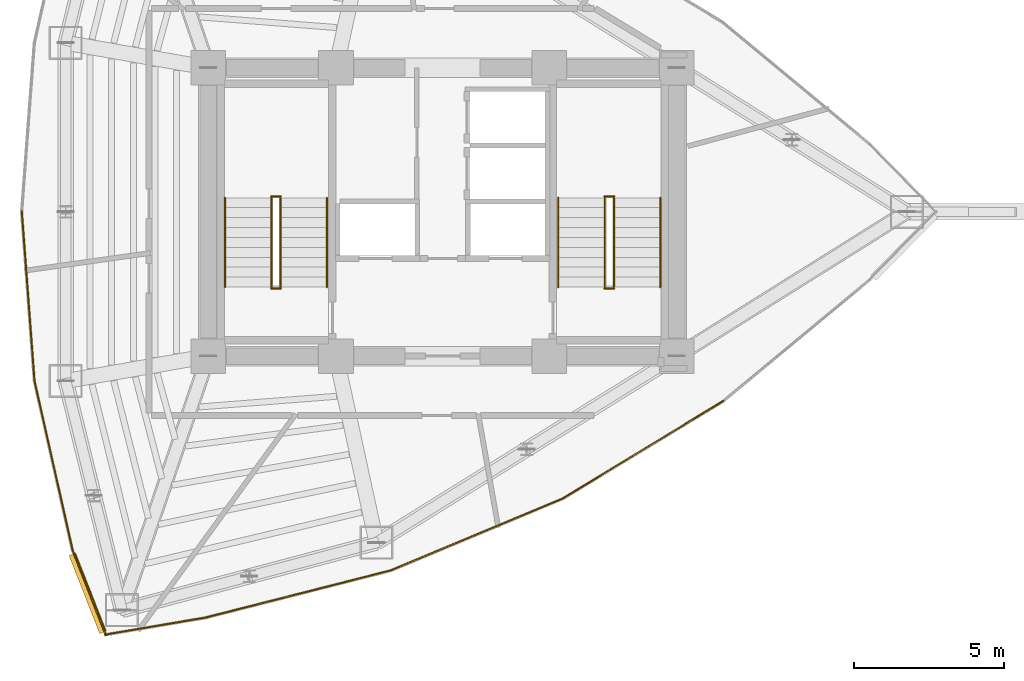
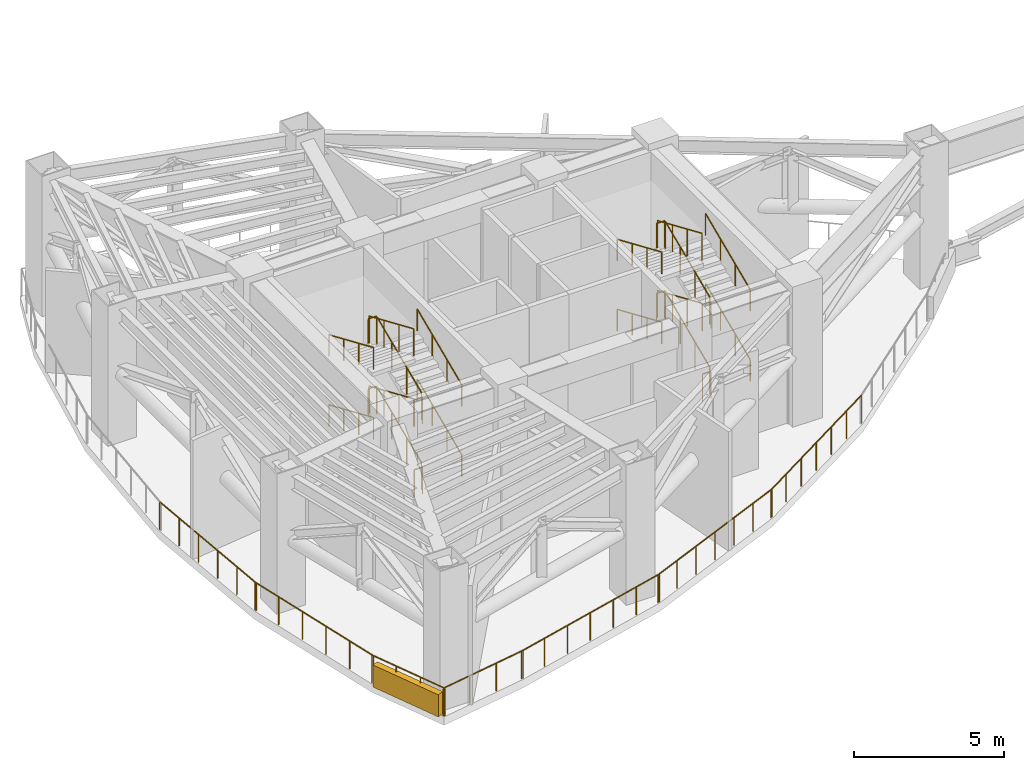
# One storey, part 7 of 8: 31 railings, 1 shading device.
"""IFC4 building model written with IfcOpenShell, lengths in metres."""

import ifcopenshell
import ifcopenshell.guid

model = None  # the IFC model being written
_history = None  # IfcOwnerHistory: only IFC2X3 demands one
_inside = {}  # id of a spatial element -> (the spatial element, [elements in it])
_under = {}  # id of a project, library or spatial element -> (it, [spatial elements below it])
_declared = {}  # id of a project -> (the project, [libraries it declares])
_typed = {}  # id of a type object -> (the type object, [elements of that type])
_made_of = {}  # id of a material, layer set ... -> (it, [elements and type objects made of it])


def new_model(schema):
    """Start an empty IFC model of exactly this schema.

    Asked for "IFC4X3", IfcOpenShell would pick the latest addendum, in which some entities
    have other attributes; the version numbers below select the first issue.
    IFC2X3 requires an IfcOwnerHistory on every rooted entity: one is made here for all.
    """
    global model, _history
    if schema == "IFC4X3":
        model = ifcopenshell.file(schema_version=(4, 3, 0, 0))
    else:
        model = ifcopenshell.file(schema=schema)
    _inside.clear()
    _under.clear()
    _declared.clear()
    _typed.clear()
    _made_of.clear()
    _history = None
    if model.schema == "IFC2X3":
        org = make("IfcOrganization", Name="unknown")
        user = make(
            "IfcPersonAndOrganization",
            ThePerson=make("IfcPerson", FamilyName="unknown"),
            TheOrganization=org,
        )
        app = make(
            "IfcApplication",
            ApplicationDeveloper=org,
            Version="unknown",
            ApplicationFullName="unknown",
            ApplicationIdentifier="unknown",
        )
        _history = make(
            "IfcOwnerHistory",
            OwningUser=user,
            OwningApplication=app,
            ChangeAction="ADDED",
            CreationDate=0,
        )
    return model


def make(cls, **values):
    """One entity of the class cls with the attributes given. An attribute that is None is left unset."""
    return model.create_entity(
        cls, **{name: value for name, value in values.items() if value is not None}
    )


def rooted(cls, **values):
    """An entity with a GlobalId (a new one), such as an element, a storey or a relation."""
    return make(cls, GlobalId=ifcopenshell.guid.new(), OwnerHistory=_history, **values)


def si_unit(unit_type, name, prefix=None):
    """IfcSIUnit, for example si_unit("LENGTHUNIT", "METRE", prefix="MILLI")."""
    return make("IfcSIUnit", UnitType=unit_type, Prefix=prefix, Name=name)


def assignment(units):
    """IfcUnitAssignment: the units of a project."""
    return None if units is None else make("IfcUnitAssignment", Units=units)


def point(xyz):
    """IfcCartesianPoint."""
    return None if xyz is None else make("IfcCartesianPoint", Coordinates=xyz)


def direction(xyz):
    """IfcDirection."""
    return None if xyz is None else make("IfcDirection", DirectionRatios=xyz)


def frame(location, z_axis=None, x_axis=None):
    """IfcAxis2Placement3D, a coordinate frame: its origin and axes. An axis left out is left unset."""
    return make(
        "IfcAxis2Placement3D",
        Location=point(location),
        Axis=direction(z_axis),
        RefDirection=direction(x_axis),
    )


def frame_2d(location, x_axis=None):
    """IfcAxis2Placement2D, a coordinate frame in the plane: its origin and x axis."""
    return make(
        "IfcAxis2Placement2D", Location=point(location), RefDirection=direction(x_axis)
    )


def origin():
    """The frame at (0, 0, 0) with its axes left unset."""
    return frame((0.0, 0.0, 0.0))


def origin_2d():
    """The frame at (0, 0) in the plane with its x axis left unset."""
    return frame_2d((0.0, 0.0))


def place(relative_to, where):
    """IfcLocalPlacement: puts the frame where relative to a parent placement (None: the world)."""
    return make(
        "IfcLocalPlacement", PlacementRelTo=relative_to, RelativePlacement=where
    )


def context(
    kind, dimensions, precision=None, world=None, true_north=None, identifier=None
):
    """IfcGeometricRepresentationContext, for example the 3D "Model" context."""
    return make(
        "IfcGeometricRepresentationContext",
        ContextIdentifier=identifier,
        ContextType=kind,
        CoordinateSpaceDimension=dimensions,
        Precision=precision,
        WorldCoordinateSystem=world,
        TrueNorth=true_north,
    )


def subcontext(parent, identifier, kind, view, scale=None):
    """IfcGeometricRepresentationSubContext, for example "Body" below "Model"."""
    return make(
        "IfcGeometricRepresentationSubContext",
        ContextIdentifier=identifier,
        ContextType=kind,
        ParentContext=parent,
        TargetScale=scale,
        TargetView=view,
    )


def project(units=None, contexts=None):
    """IfcProject with its units and contexts."""
    return rooted(
        "IfcProject",
        Name="project",
        RepresentationContexts=contexts,
        UnitsInContext=assignment(units),
    )


def spatial(cls, under=None, at=None, **own):
    """A site, building, storey or space (cls), placed at a placement, below another one or the project."""
    s = rooted(cls, ObjectPlacement=at, **own)
    if under is not None:
        _under.setdefault(under.id(), (under, []))[1].append(s)
    return s


def profile(cls, at=None, kind="AREA", **sizes):
    """A parametric profile (cls). Its sizes go by their IFC names, for example OverallWidth=200.0."""
    return make(cls, ProfileType=kind, Position=at, **sizes)


def rectangle(**sizes):
    """IfcRectangleProfileDef."""
    return profile("IfcRectangleProfileDef", **sizes)


def circle(**sizes):
    """IfcCircleProfileDef."""
    return profile("IfcCircleProfileDef", **sizes)


def extrude(swept, where, along, depth):
    """IfcExtrudedAreaSolid: the profile swept, set in the frame where, extruded along a direction by depth."""
    return make(
        "IfcExtrudedAreaSolid",
        SweptArea=swept,
        Position=where,
        ExtrudedDirection=direction(along),
        Depth=depth,
    )


def shape(context_of_items, identifier, shape_type, items):
    """IfcShapeRepresentation: the items that make up one representation, for example the "Body"."""
    return make(
        "IfcShapeRepresentation",
        ContextOfItems=context_of_items,
        RepresentationIdentifier=identifier,
        RepresentationType=shape_type,
        Items=items,
    )


def material(Name=None, Category=None):
    """IfcMaterial."""
    return make("IfcMaterial", Name=Name, Category=Category)


def layer(
    of_material, thickness, ventilated=None, Name=None, Category=None, Priority=None
):
    """IfcMaterialLayer: one layer of a wall or slab, of a material (None: an air gap)."""
    return make(
        "IfcMaterialLayer",
        Material=of_material,
        LayerThickness=thickness,
        IsVentilated=ventilated,
        Name=Name,
        Category=Category,
        Priority=Priority,
    )


def layer_set(layers, Name=None):
    """IfcMaterialLayerSet."""
    return make("IfcMaterialLayerSet", MaterialLayers=layers, LayerSetName=Name)


def made_of(thing, what):
    """Note that an element or type object is made of a material, layer set ...; save() writes the relation."""
    if what is not None:
        _made_of.setdefault(what.id(), (what, []))[1].append(thing)
    return thing


def type_object(cls, material=None, **own):
    """A type object (cls), such as IfcWallType, which elements share."""
    return made_of(rooted(cls, **own), material)


def element(
    cls,
    number,
    at=None,
    inside=None,
    cuts=None,
    type_object=None,
    material=None,
    context=None,
    identifier="Body",
    shape_type=None,
    held_by="IfcProductDefinitionShape",
    body=None,
    shapes=None,
    **own,
):
    """One element of the class cls, such as IfcWall. Its Tag is "e" and its number.

    at: its placement. inside: the storey or other place that contains it. cuts: it is an
    opening in that element (IfcRelVoidsElement). A single representation is given by context,
    identifier, shape_type and body (its items); several are given by shapes. held_by: the class
    of the entity that holds the representations. save() writes the other relations.
    """
    e = rooted(cls, Tag="e%d" % number, ObjectPlacement=at, **own)
    if body is not None:
        shapes = [shape(context, identifier, shape_type, body)]
    if shapes is not None:
        e.Representation = make(held_by, Representations=shapes)
    if inside is not None:
        _inside.setdefault(inside.id(), (inside, []))[1].append(e)
    if cuts is not None:
        rooted(
            "IfcRelVoidsElement", RelatingBuildingElement=cuts, RelatedOpeningElement=e
        )
    if type_object is not None:
        _typed.setdefault(type_object.id(), (type_object, []))[1].append(e)
    return made_of(e, material)


def aggregate(whole, parts):
    """IfcRelAggregates: a whole, such as a stair, and the parts it consists of."""
    return rooted("IfcRelAggregates", RelatingObject=whole, RelatedObjects=parts)


def save(model, path):
    """Write the relations noted so far, then the file.

    IfcRelAggregates (storeys below a building ...), IfcRelContainedInSpatialStructure (elements
    in a storey), IfcRelDefinesByType, IfcRelAssociatesMaterial and IfcRelDeclares: one each for
    every whole, place, type object, material and project.
    """
    for whole, parts in _under.values():
        aggregate(whole, parts)
    for where, things in _inside.values():
        rooted(
            "IfcRelContainedInSpatialStructure",
            RelatedElements=things,
            RelatingStructure=where,
        )
    for kind, things in _typed.values():
        rooted("IfcRelDefinesByType", RelatedObjects=things, RelatingType=kind)
    for what, things in _made_of.values():
        rooted("IfcRelAssociatesMaterial", RelatedObjects=things, RelatingMaterial=what)
    for by, libraries in _declared.values():
        rooted("IfcRelDeclares", RelatingContext=by, RelatedDefinitions=libraries)
    model.write(path)


model = new_model("IFC4")

# Units and contexts
model_context = context("Model", 3, precision=1e-05, world=origin(), true_north=direction((0.0, 1.0)))
body_context = subcontext(model_context, "Body", "Model", "MODEL_VIEW")
ifc_project = project(units=[si_unit("LENGTHUNIT", "METRE"), si_unit("AREAUNIT", "SQUARE_METRE"), si_unit("VOLUMEUNIT", "CUBIC_METRE"), si_unit("PLANEANGLEUNIT", "RADIAN"), si_unit("MASSUNIT", "GRAM", prefix="KILO")], contexts=[model_context])

# Site, building, storey
site_placement = place(None, origin())
site = spatial("IfcSite", under=ifc_project, at=site_placement, CompositionType="ELEMENT")
building_placement = place(site_placement, origin())
building = spatial("IfcBuilding", under=site, at=building_placement, Name="Menara Vayukalpa", CompositionType="ELEMENT")
storey_placement = place(building_placement, frame((0.0, 0.0, 148.6201171875)))
storey = spatial("IfcBuildingStorey", under=building, at=storey_placement, Name="L37", CompositionType="ELEMENT", Elevation=148.6201171875)

# Railings
ifc_material_1 = material(Name="Laminated Glass and Stainless Steel 316 Guardrail", Category="steel")
railing_type_1 = type_object("IfcRailingType", Name="RLG-EXT115", PredefinedType="GUARDRAIL", material=ifc_material_1)
railing_1_placement = place(storey_placement, frame((34.945556640625, 15.704345703125, 0.0)))
element("IfcRailing", 1, at=railing_1_placement, inside=storey, type_object=railing_type_1, Name="L37 Wind Floor Perimeter Guardrail 02", PredefinedType="GUARDRAIL", context=body_context, shape_type="SweptSolid", body=[
    extrude(circle(Radius=0.02392578125, at=origin_2d()), frame((0.0, 0.0, 1.1259765625), z_axis=(-0.854650612144, -0.51920355465, 0.0), x_axis=(0.51920355465, -0.854650612144, 0.0)), (0.0, 0.0, 1.0), 6.273681640625),
    extrude(circle(Radius=0.02099609375, at=origin_2d()), origin(), (0.0, 0.0, 1.0), 1.101806640625),
    extrude(circle(Radius=0.02099609375, at=origin_2d()), frame((-0.8935546875, -0.54296875, 0.0)), (0.0, 0.0, 1.0), 1.101806640625),
    extrude(circle(Radius=0.02099609375, at=origin_2d()), frame((-1.787353515625, -1.085693359375, 0.0)), (0.0, 0.0, 1.0), 1.101806640625),
    extrude(circle(Radius=0.02099609375, at=origin_2d()), frame((-2.680908203125, -1.628662109375, 0.0)), (0.0, 0.0, 1.0), 1.101806640625),
    extrude(circle(Radius=0.02099609375, at=origin_2d()), frame((-3.574462890625, -2.171630859375, 0.0)), (0.0, 0.0, 1.0), 1.101806640625),
    extrude(circle(Radius=0.02099609375, at=origin_2d()), frame((-4.46826171875, -2.71435546875, 0.0)), (0.0, 0.0, 1.0), 1.101806640625),
    extrude(circle(Radius=0.02099609375, at=origin_2d()), frame((-5.36181640625, -3.25732421875, 0.0)), (0.0, 0.0, 1.0), 1.101806640625),
])
railing_2_placement = place(storey_placement, frame((29.63720703125, 12.47412109375, 0.0)))
element("IfcRailing", 2, at=railing_2_placement, inside=storey, type_object=railing_type_1, Name="L37 Wind Floor Perimeter Guardrail 03", PredefinedType="GUARDRAIL", context=body_context, shape_type="SweptSolid", body=[
    extrude(circle(Radius=0.02392578125, at=origin_2d()), frame((0.0, 0.0, 1.1259765625), z_axis=(-0.922549905473, -0.385877794013, 0.0), x_axis=(0.385877794013, -0.922549905473, 0.0)), (0.0, 0.0, 1.0), 6.273681640625),
    extrude(circle(Radius=0.02099609375, at=origin_2d()), origin(), (0.0, 0.0, 1.0), 1.101806640625),
    extrude(circle(Radius=0.02099609375, at=origin_2d()), frame((-0.964599609375, -0.403564453125, 0.0)), (0.0, 0.0, 1.0), 1.101806640625),
    extrude(circle(Radius=0.02099609375, at=origin_2d()), frame((-1.92919921875, -0.806884765625, 0.0)), (0.0, 0.0, 1.0), 1.101806640625),
    extrude(circle(Radius=0.02099609375, at=origin_2d()), frame((-2.89404296875, -1.21044921875, 0.0)), (0.0, 0.0, 1.0), 1.101806640625),
    extrude(circle(Radius=0.02099609375, at=origin_2d()), frame((-3.858642578125, -1.614013671875, 0.0)), (0.0, 0.0, 1.0), 1.101806640625),
    extrude(circle(Radius=0.02099609375, at=origin_2d()), frame((-4.8232421875, -2.017333984375, 0.0)), (0.0, 0.0, 1.0), 1.101806640625),
    extrude(circle(Radius=0.02099609375, at=origin_2d()), frame((-5.787841796875, -2.4208984375, 0.0)), (0.0, 0.0, 1.0), 1.101806640625),
])
railing_3_placement = place(storey_placement, frame((23.906005859375, 10.072265625, 0.0)))
element("IfcRailing", 3, at=railing_3_placement, inside=storey, type_object=railing_type_1, Name="L37 Wind Floor Perimeter Guardrail 04", PredefinedType="GUARDRAIL", context=body_context, shape_type="SweptSolid", body=[
    extrude(circle(Radius=0.02392578125, at=origin_2d()), frame((0.0, 0.0, 1.1259765625), z_axis=(-0.968980581145, -0.247136871721, 0.0), x_axis=(0.247136871721, -0.968980581145, 0.0)), (0.0, 0.0, 1.0), 6.413330078125),
    extrude(circle(Radius=0.02099609375, at=origin_2d()), origin(), (0.0, 0.0, 1.0), 1.101806640625),
    extrude(circle(Radius=0.02099609375, at=origin_2d()), frame((-1.03564453125, -0.26416015625, 0.0)), (0.0, 0.0, 1.0), 1.101806640625),
    extrude(circle(Radius=0.02099609375, at=origin_2d()), frame((-2.071533203125, -0.5283203125, 0.0)), (0.0, 0.0, 1.0), 1.101806640625),
    extrude(circle(Radius=0.02099609375, at=origin_2d()), frame((-3.107177734375, -0.79248046875, 0.0)), (0.0, 0.0, 1.0), 1.101806640625),
    extrude(circle(Radius=0.02099609375, at=origin_2d()), frame((-4.142822265625, -1.056640625, 0.0)), (0.0, 0.0, 1.0), 1.101806640625),
    extrude(circle(Radius=0.02099609375, at=origin_2d()), frame((-5.1787109375, -1.32080078125, 0.0)), (0.0, 0.0, 1.0), 1.101806640625),
    extrude(circle(Radius=0.02099609375, at=origin_2d()), frame((-6.21435546875, -1.5849609375, 0.0)), (0.0, 0.0, 1.0), 1.101806640625),
])
railing_4_placement = place(storey_placement, frame((17.750244140625, 8.499755859375, 0.0)))
element("IfcRailing", 4, at=railing_4_placement, inside=storey, type_object=railing_type_1, Name="L37 Wind Floor Perimeter Guardrail 05", PredefinedType="GUARDRAIL", context=body_context, shape_type="SweptSolid", body=[
    extrude(circle(Radius=0.02392578125, at=origin_2d()), frame((0.0, 0.0, 1.1259765625), z_axis=(-0.985889433677, -0.167397803346, 0.0), x_axis=(0.167397803346, -0.985889433677, 0.0)), (0.0, 0.0, 1.0), 3.44482421875),
    extrude(circle(Radius=0.02099609375, at=origin_2d()), origin(), (0.0, 0.0, 1.0), 1.101806640625),
    extrude(circle(Radius=0.02099609375, at=origin_2d()), frame((-1.132080078125, -0.192138671875, 0.0)), (0.0, 0.0, 1.0), 1.101806640625),
    extrude(circle(Radius=0.02099609375, at=origin_2d()), frame((-2.26416015625, -0.384521484375, 0.0)), (0.0, 0.0, 1.0), 1.101806640625),
    extrude(circle(Radius=0.02099609375, at=origin_2d()), frame((-3.396240234375, -0.57666015625, 0.0)), (0.0, 0.0, 1.0), 1.101806640625),
])
railing_5_placement = place(storey_placement, frame((14.39453125, 7.900390625, 0.0)))
element("IfcRailing", 5, at=railing_5_placement, inside=storey, type_object=railing_type_1, Name="L37 Wind Floor Perimeter Guardrail 06", PredefinedType="GUARDRAIL", context=body_context, shape_type="SweptSolid", body=[
    extrude(circle(Radius=0.02392578125, at=origin_2d()), frame((0.0, 0.0, 1.1259765625), z_axis=(-0.365591375551, 0.93077545419, 0.0), x_axis=(-0.93077545419, -0.365591375551, 0.0)), (0.0, 0.0, 1.0), 3.095947265625),
    extrude(circle(Radius=0.02099609375, at=origin_2d()), origin(), (0.0, 0.0, 1.0), 1.101806640625),
    extrude(circle(Radius=0.02099609375, at=origin_2d()), frame((-0.377197265625, 0.96044921875, 0.0)), (0.0, 0.0, 1.0), 1.101806640625),
    extrude(circle(Radius=0.02099609375, at=origin_2d()), frame((-0.754638671875, 1.921142578125, 0.0)), (0.0, 0.0, 1.0), 1.101806640625),
    extrude(circle(Radius=0.02099609375, at=origin_2d()), frame((-1.1318359375, 2.881591796875, 0.0)), (0.0, 0.0, 1.0), 1.101806640625),
])
railing_6_placement = place(storey_placement, frame((13.2802734375, 10.724609375, 0.0)))
element("IfcRailing", 6, at=railing_6_placement, inside=storey, type_object=railing_type_1, Name="L37 Wind Floor Perimeter Guardrail 07", PredefinedType="GUARDRAIL", context=body_context, shape_type="SweptSolid", body=[
    extrude(circle(Radius=0.02392578125, at=origin_2d()), frame((0.0, 0.0, 1.1259765625), z_axis=(-0.219504214699, 0.975611551658, 0.0), x_axis=(-0.975611551658, -0.219504214699, 0.0)), (0.0, 0.0, 1.0), 5.82373046875),
    extrude(circle(Radius=0.02099609375, at=origin_2d()), origin(), (0.0, 0.0, 1.0), 1.101806640625),
    extrude(circle(Radius=0.02099609375, at=origin_2d()), frame((-0.255615234375, 1.13623046875, 0.0)), (0.0, 0.0, 1.0), 1.101806640625),
    extrude(circle(Radius=0.02099609375, at=origin_2d()), frame((-0.51123046875, 2.272705078125, 0.0)), (0.0, 0.0, 1.0), 1.101806640625),
    extrude(circle(Radius=0.02099609375, at=origin_2d()), frame((-0.76708984375, 3.408935546875, 0.0)), (0.0, 0.0, 1.0), 1.101806640625),
    extrude(circle(Radius=0.02099609375, at=origin_2d()), frame((-1.022705078125, 4.54541015625, 0.0)), (0.0, 0.0, 1.0), 1.101806640625),
    extrude(circle(Radius=0.02099609375, at=origin_2d()), frame((-1.2783203125, 5.681640625, 0.0)), (0.0, 0.0, 1.0), 1.101806640625),
])
railing_7_placement = place(storey_placement, frame((12.0107421875, 16.34716796875, 0.0)))
element("IfcRailing", 7, at=railing_7_placement, inside=storey, type_object=railing_type_1, Name="L37 Wind Floor Perimeter Guardrail 08", PredefinedType="GUARDRAIL", context=body_context, shape_type="SweptSolid", body=[
    extrude(circle(Radius=0.02392578125, at=origin_2d()), frame((0.0, 0.0, 1.1259765625), z_axis=(-0.074760126221, 0.997201546092, 0.0), x_axis=(-0.997201546092, -0.074760126221, 0.0)), (0.0, 0.0, 1.0), 5.698486328125),
    extrude(circle(Radius=0.02099609375, at=origin_2d()), origin(), (0.0, 0.0, 1.0), 1.101806640625),
    extrude(circle(Radius=0.02099609375, at=origin_2d()), frame((-0.085205078125, 1.136474609375, 0.0)), (0.0, 0.0, 1.0), 1.101806640625),
    extrude(circle(Radius=0.02099609375, at=origin_2d()), frame((-0.17041015625, 2.27294921875, 0.0)), (0.0, 0.0, 1.0), 1.101806640625),
    extrude(circle(Radius=0.02099609375, at=origin_2d()), frame((-0.255615234375, 3.40966796875, 0.0)), (0.0, 0.0, 1.0), 1.101806640625),
    extrude(circle(Radius=0.02099609375, at=origin_2d()), frame((-0.3408203125, 4.546142578125, 0.0)), (0.0, 0.0, 1.0), 1.101806640625),
    extrude(circle(Radius=0.02099609375, at=origin_2d()), frame((-0.426025390625, 5.6826171875, 0.0)), (0.0, 0.0, 1.0), 1.101806640625),
])
ifc_material_2 = material(Name="Powder-Coated Galvanised Steel Guardrail", Category="steel")
railing_type_2 = type_object("IfcRailingType", Name="RLG-STG110", PredefinedType="GUARDRAIL", material=ifc_material_2)
railing_8_placement = place(storey_placement, frame((20.199951171875, 19.5, 0.142333984375)))
element("IfcRailing", 8, at=railing_8_placement, inside=storey, type_object=railing_type_2, Name="L37 ST-1 stair guard 1", PredefinedType="GUARDRAIL", context=body_context, shape_type="SweptSolid", body=[
    extrude(circle(Radius=0.02392578125, at=origin_2d()), frame((0.0, 0.0, 1.09619140625), z_axis=(0.0, 0.918064226254, 0.39643167945), x_axis=(-1.0, 0.0, 0.0)), (0.0, 0.0, 1.0), 3.235107421875),
    extrude(circle(Radius=0.02099609375, at=origin_2d()), origin(), (0.0, 0.0, 1.0), 1.072021484375),
    extrude(circle(Radius=0.02099609375, at=origin_2d()), frame((0.0, 0.989990234375, 0.427490234375)), (0.0, 0.0, 1.0), 1.072021484375),
    extrude(circle(Radius=0.02099609375, at=origin_2d()), frame((0.0, 1.97998046875, 0.85498046875)), (0.0, 0.0, 1.0), 1.072021484375),
    extrude(circle(Radius=0.02099609375, at=origin_2d()), frame((0.0, 2.969970703125, 1.282470703125)), (0.0, 0.0, 1.0), 1.072021484375),
])
railing_9_placement = place(storey_placement, frame((20.2099609375, 22.52001953125, 1.4248046875)))
element("IfcRailing", 9, at=railing_9_placement, inside=storey, type_object=railing_type_2, Name="L37 ST-1 stair guard 2", PredefinedType="GUARDRAIL", context=body_context, shape_type="SweptSolid", body=[
    extrude(circle(Radius=0.02392578125, at=origin_2d()), frame((0.0, 0.0, 1.09619140625), z_axis=(-1.0, 0.0, 0.0), x_axis=(0.0, -1.0, 0.0)), (0.0, 0.0, 1.0), 0.320068359375),
    extrude(circle(Radius=0.02099609375, at=origin_2d()), origin(), (0.0, 0.0, 1.0), 1.072021484375),
    extrude(circle(Radius=0.02099609375, at=origin_2d()), frame((-0.320068359375, 0.0, 0.0)), (0.0, 0.0, 1.0), 1.072021484375),
])
railing_10_placement = place(storey_placement, frame((19.89990234375, 22.469970703125, 1.5673828125)))
element("IfcRailing", 10, at=railing_10_placement, inside=storey, type_object=railing_type_2, Name="L37 ST-1 stair guard 3", PredefinedType="GUARDRAIL", context=body_context, shape_type="SweptSolid", body=[
    extrude(circle(Radius=0.02392578125, at=origin_2d()), frame((0.0, 0.0, 1.09619140625), z_axis=(0.0, -0.918064226254, 0.39643167945), x_axis=(1.0, 0.0, 0.0)), (0.0, 0.0, 1.0), 3.235107421875),
    extrude(circle(Radius=0.02099609375, at=origin_2d()), origin(), (0.0, 0.0, 1.0), 1.072021484375),
    extrude(circle(Radius=0.02099609375, at=origin_2d()), frame((0.0, -0.989990234375, 0.427490234375)), (0.0, 0.0, 1.0), 1.072021484375),
    extrude(circle(Radius=0.02099609375, at=origin_2d()), frame((0.0, -1.97998046875, 0.85498046875)), (0.0, 0.0, 1.0), 1.072021484375),
    extrude(circle(Radius=0.02099609375, at=origin_2d()), frame((0.0, -2.969970703125, 1.282470703125)), (0.0, 0.0, 1.0), 1.072021484375),
])
railing_11_placement = place(storey_placement, frame((20.2099609375, 19.449951171875, 2.849853515625)))
element("IfcRailing", 11, at=railing_11_placement, inside=storey, type_object=railing_type_2, Name="L37 ST-1 stair guard 4", PredefinedType="GUARDRAIL", context=body_context, shape_type="SweptSolid", body=[
    extrude(circle(Radius=0.02392578125, at=origin_2d()), frame((0.0, 0.0, 1.09619140625), z_axis=(-1.0, 0.0, 0.0), x_axis=(0.0, -1.0, 0.0)), (0.0, 0.0, 1.0), 0.320068359375),
    extrude(circle(Radius=0.02099609375, at=origin_2d()), origin(), (0.0, 0.0, 1.0), 1.072021484375),
    extrude(circle(Radius=0.02099609375, at=origin_2d()), frame((-0.320068359375, 0.0, 0.0)), (0.0, 0.0, 1.0), 1.072021484375),
])
railing_12_placement = place(storey_placement, frame((20.199951171875, 19.5, 2.992431640625)))
element("IfcRailing", 12, at=railing_12_placement, inside=storey, type_object=railing_type_2, Name="L37 ST-1 stair guard 5", PredefinedType="GUARDRAIL", context=body_context, shape_type="SweptSolid", body=[
    extrude(circle(Radius=0.02392578125, at=origin_2d()), frame((0.0, 0.0, 1.09619140625), z_axis=(0.0, 0.918064226254, 0.39643167945), x_axis=(-1.0, 0.0, 0.0)), (0.0, 0.0, 1.0), 3.235107421875),
    extrude(circle(Radius=0.02099609375, at=origin_2d()), origin(), (0.0, 0.0, 1.0), 1.072021484375),
    extrude(circle(Radius=0.02099609375, at=origin_2d()), frame((0.0, 0.989990234375, 0.427490234375)), (0.0, 0.0, 1.0), 1.072021484375),
    extrude(circle(Radius=0.02099609375, at=origin_2d()), frame((0.0, 1.97998046875, 0.85498046875)), (0.0, 0.0, 1.0), 1.072021484375),
    extrude(circle(Radius=0.02099609375, at=origin_2d()), frame((0.0, 2.969970703125, 1.282470703125)), (0.0, 0.0, 1.0), 1.072021484375),
])
railing_13_placement = place(storey_placement, frame((20.2099609375, 22.52001953125, 4.27490234375)))
element("IfcRailing", 13, at=railing_13_placement, inside=storey, type_object=railing_type_2, Name="L37 ST-1 stair guard 6", PredefinedType="GUARDRAIL", context=body_context, shape_type="SweptSolid", body=[
    extrude(circle(Radius=0.02392578125, at=origin_2d()), frame((0.0, 0.0, 1.09619140625), z_axis=(-1.0, 0.0, 0.0), x_axis=(0.0, -1.0, 0.0)), (0.0, 0.0, 1.0), 0.320068359375),
    extrude(circle(Radius=0.02099609375, at=origin_2d()), origin(), (0.0, 0.0, 1.0), 1.072021484375),
    extrude(circle(Radius=0.02099609375, at=origin_2d()), frame((-0.320068359375, 0.0, 0.0)), (0.0, 0.0, 1.0), 1.072021484375),
])
railing_14_placement = place(storey_placement, frame((19.89990234375, 22.469970703125, 4.41748046875)))
element("IfcRailing", 14, at=railing_14_placement, inside=storey, type_object=railing_type_2, Name="L37 ST-1 stair guard 7", PredefinedType="GUARDRAIL", context=body_context, shape_type="SweptSolid", body=[
    extrude(circle(Radius=0.02392578125, at=origin_2d()), frame((0.0, 0.0, 1.09619140625), z_axis=(0.0, -0.918064226254, 0.39643167945), x_axis=(1.0, 0.0, 0.0)), (0.0, 0.0, 1.0), 3.235107421875),
    extrude(circle(Radius=0.02099609375, at=origin_2d()), origin(), (0.0, 0.0, 1.0), 1.072021484375),
    extrude(circle(Radius=0.02099609375, at=origin_2d()), frame((0.0, -0.989990234375, 0.427490234375)), (0.0, 0.0, 1.0), 1.072021484375),
    extrude(circle(Radius=0.02099609375, at=origin_2d()), frame((0.0, -1.97998046875, 0.85498046875)), (0.0, 0.0, 1.0), 1.072021484375),
    extrude(circle(Radius=0.02099609375, at=origin_2d()), frame((0.0, -2.969970703125, 1.282470703125)), (0.0, 0.0, 1.0), 1.072021484375),
])
railing_15_placement = place(storey_placement, frame((20.2099609375, 19.449951171875, 0.0)))
element("IfcRailing", 15, at=railing_15_placement, inside=storey, type_object=railing_type_2, Name="L37 ST-1 stair guard 8", PredefinedType="GUARDRAIL", context=body_context, shape_type="SweptSolid", body=[
    extrude(circle(Radius=0.02392578125, at=origin_2d()), frame((0.0, 0.0, 1.09619140625), z_axis=(-1.0, 0.0, 0.0), x_axis=(0.0, -1.0, 0.0)), (0.0, 0.0, 1.0), 0.320068359375),
    extrude(circle(Radius=0.02099609375, at=origin_2d()), origin(), (0.0, 0.0, 1.0), 1.072021484375),
    extrude(circle(Radius=0.02099609375, at=origin_2d()), frame((-0.320068359375, 0.0, 0.0)), (0.0, 0.0, 1.0), 1.072021484375),
])
railing_16_placement = place(storey_placement, frame((31.300048828125, 19.5, 0.142333984375)))
element("IfcRailing", 16, at=railing_16_placement, inside=storey, type_object=railing_type_2, Name="L37 ST-2 stair guard 1", PredefinedType="GUARDRAIL", context=body_context, shape_type="SweptSolid", body=[
    extrude(circle(Radius=0.02392578125, at=origin_2d()), frame((0.0, 0.0, 1.09619140625), z_axis=(0.0, 0.918064226254, 0.39643167945), x_axis=(-1.0, 0.0, 0.0)), (0.0, 0.0, 1.0), 3.235107421875),
    extrude(circle(Radius=0.02099609375, at=origin_2d()), origin(), (0.0, 0.0, 1.0), 1.072021484375),
    extrude(circle(Radius=0.02099609375, at=origin_2d()), frame((0.0, 0.989990234375, 0.427490234375)), (0.0, 0.0, 1.0), 1.072021484375),
    extrude(circle(Radius=0.02099609375, at=origin_2d()), frame((0.0, 1.97998046875, 0.85498046875)), (0.0, 0.0, 1.0), 1.072021484375),
    extrude(circle(Radius=0.02099609375, at=origin_2d()), frame((0.0, 2.969970703125, 1.282470703125)), (0.0, 0.0, 1.0), 1.072021484375),
])
railing_17_placement = place(storey_placement, frame((31.31005859375, 22.52001953125, 1.4248046875)))
element("IfcRailing", 17, at=railing_17_placement, inside=storey, type_object=railing_type_2, Name="L37 ST-2 stair guard 2", PredefinedType="GUARDRAIL", context=body_context, shape_type="SweptSolid", body=[
    extrude(circle(Radius=0.02392578125, at=origin_2d()), frame((0.0, 0.0, 1.09619140625), z_axis=(-1.0, 0.0, 0.0), x_axis=(0.0, -1.0, 0.0)), (0.0, 0.0, 1.0), 0.320068359375),
    extrude(circle(Radius=0.02099609375, at=origin_2d()), origin(), (0.0, 0.0, 1.0), 1.072021484375),
    extrude(circle(Radius=0.02099609375, at=origin_2d()), frame((-0.320068359375, 0.0, 0.0)), (0.0, 0.0, 1.0), 1.072021484375),
])
railing_18_placement = place(storey_placement, frame((31.0, 22.469970703125, 1.5673828125)))
element("IfcRailing", 18, at=railing_18_placement, inside=storey, type_object=railing_type_2, Name="L37 ST-2 stair guard 3", PredefinedType="GUARDRAIL", context=body_context, shape_type="SweptSolid", body=[
    extrude(circle(Radius=0.02392578125, at=origin_2d()), frame((0.0, 0.0, 1.09619140625), z_axis=(0.0, -0.918064226254, 0.39643167945), x_axis=(1.0, 0.0, 0.0)), (0.0, 0.0, 1.0), 3.235107421875),
    extrude(circle(Radius=0.02099609375, at=origin_2d()), origin(), (0.0, 0.0, 1.0), 1.072021484375),
    extrude(circle(Radius=0.02099609375, at=origin_2d()), frame((0.0, -0.989990234375, 0.427490234375)), (0.0, 0.0, 1.0), 1.072021484375),
    extrude(circle(Radius=0.02099609375, at=origin_2d()), frame((0.0, -1.97998046875, 0.85498046875)), (0.0, 0.0, 1.0), 1.072021484375),
    extrude(circle(Radius=0.02099609375, at=origin_2d()), frame((0.0, -2.969970703125, 1.282470703125)), (0.0, 0.0, 1.0), 1.072021484375),
])
railing_19_placement = place(storey_placement, frame((31.31005859375, 19.449951171875, 2.849853515625)))
element("IfcRailing", 19, at=railing_19_placement, inside=storey, type_object=railing_type_2, Name="L37 ST-2 stair guard 4", PredefinedType="GUARDRAIL", context=body_context, shape_type="SweptSolid", body=[
    extrude(circle(Radius=0.02392578125, at=origin_2d()), frame((0.0, 0.0, 1.09619140625), z_axis=(-1.0, 0.0, 0.0), x_axis=(0.0, -1.0, 0.0)), (0.0, 0.0, 1.0), 0.320068359375),
    extrude(circle(Radius=0.02099609375, at=origin_2d()), origin(), (0.0, 0.0, 1.0), 1.072021484375),
    extrude(circle(Radius=0.02099609375, at=origin_2d()), frame((-0.320068359375, 0.0, 0.0)), (0.0, 0.0, 1.0), 1.072021484375),
])
railing_20_placement = place(storey_placement, frame((31.300048828125, 19.5, 2.992431640625)))
element("IfcRailing", 20, at=railing_20_placement, inside=storey, type_object=railing_type_2, Name="L37 ST-2 stair guard 5", PredefinedType="GUARDRAIL", context=body_context, shape_type="SweptSolid", body=[
    extrude(circle(Radius=0.02392578125, at=origin_2d()), frame((0.0, 0.0, 1.09619140625), z_axis=(0.0, 0.918064226254, 0.39643167945), x_axis=(-1.0, 0.0, 0.0)), (0.0, 0.0, 1.0), 3.235107421875),
    extrude(circle(Radius=0.02099609375, at=origin_2d()), origin(), (0.0, 0.0, 1.0), 1.072021484375),
    extrude(circle(Radius=0.02099609375, at=origin_2d()), frame((0.0, 0.989990234375, 0.427490234375)), (0.0, 0.0, 1.0), 1.072021484375),
    extrude(circle(Radius=0.02099609375, at=origin_2d()), frame((0.0, 1.97998046875, 0.85498046875)), (0.0, 0.0, 1.0), 1.072021484375),
    extrude(circle(Radius=0.02099609375, at=origin_2d()), frame((0.0, 2.969970703125, 1.282470703125)), (0.0, 0.0, 1.0), 1.072021484375),
])
railing_21_placement = place(storey_placement, frame((31.31005859375, 22.52001953125, 4.27490234375)))
element("IfcRailing", 21, at=railing_21_placement, inside=storey, type_object=railing_type_2, Name="L37 ST-2 stair guard 6", PredefinedType="GUARDRAIL", context=body_context, shape_type="SweptSolid", body=[
    extrude(circle(Radius=0.02392578125, at=origin_2d()), frame((0.0, 0.0, 1.09619140625), z_axis=(-1.0, 0.0, 0.0), x_axis=(0.0, -1.0, 0.0)), (0.0, 0.0, 1.0), 0.320068359375),
    extrude(circle(Radius=0.02099609375, at=origin_2d()), origin(), (0.0, 0.0, 1.0), 1.072021484375),
    extrude(circle(Radius=0.02099609375, at=origin_2d()), frame((-0.320068359375, 0.0, 0.0)), (0.0, 0.0, 1.0), 1.072021484375),
])
railing_22_placement = place(storey_placement, frame((31.0, 22.469970703125, 4.41748046875)))
element("IfcRailing", 22, at=railing_22_placement, inside=storey, type_object=railing_type_2, Name="L37 ST-2 stair guard 7", PredefinedType="GUARDRAIL", context=body_context, shape_type="SweptSolid", body=[
    extrude(circle(Radius=0.02392578125, at=origin_2d()), frame((0.0, 0.0, 1.09619140625), z_axis=(0.0, -0.918064226254, 0.39643167945), x_axis=(1.0, 0.0, 0.0)), (0.0, 0.0, 1.0), 3.235107421875),
    extrude(circle(Radius=0.02099609375, at=origin_2d()), origin(), (0.0, 0.0, 1.0), 1.072021484375),
    extrude(circle(Radius=0.02099609375, at=origin_2d()), frame((0.0, -0.989990234375, 0.427490234375)), (0.0, 0.0, 1.0), 1.072021484375),
    extrude(circle(Radius=0.02099609375, at=origin_2d()), frame((0.0, -1.97998046875, 0.85498046875)), (0.0, 0.0, 1.0), 1.072021484375),
    extrude(circle(Radius=0.02099609375, at=origin_2d()), frame((0.0, -2.969970703125, 1.282470703125)), (0.0, 0.0, 1.0), 1.072021484375),
])
railing_23_placement = place(storey_placement, frame((31.31005859375, 19.449951171875, 0.0)))
element("IfcRailing", 23, at=railing_23_placement, inside=storey, type_object=railing_type_2, Name="L37 ST-2 stair guard 8", PredefinedType="GUARDRAIL", context=body_context, shape_type="SweptSolid", body=[
    extrude(circle(Radius=0.02392578125, at=origin_2d()), frame((0.0, 0.0, 1.09619140625), z_axis=(-1.0, 0.0, 0.0), x_axis=(0.0, -1.0, 0.0)), (0.0, 0.0, 1.0), 0.320068359375),
    extrude(circle(Radius=0.02099609375, at=origin_2d()), origin(), (0.0, 0.0, 1.0), 1.072021484375),
    extrude(circle(Radius=0.02099609375, at=origin_2d()), frame((-0.320068359375, 0.0, 0.0)), (0.0, 0.0, 1.0), 1.072021484375),
])
ifc_material_3 = material(Name="Stainless Steel 316 Tubular Handrail", Category="steel")
railing_type_3 = type_object("IfcRailingType", Name="RLG-STH090", PredefinedType="HANDRAIL", material=ifc_material_3)
railing_24_placement = place(storey_placement, frame((21.75, 19.5, 0.142333984375)))
element("IfcRailing", 24, at=railing_24_placement, inside=storey, type_object=railing_type_3, Name="L37 ST-1 stair handrail 1", PredefinedType="HANDRAIL", context=body_context, shape_type="SweptSolid", body=[
    extrude(circle(Radius=0.02392578125, at=origin_2d()), frame((0.0, 0.0, 0.8759765625), z_axis=(0.0, 0.918064226254, 0.39643167945), x_axis=(-1.0, 0.0, 0.0)), (0.0, 0.0, 1.0), 3.235107421875),
    extrude(circle(Radius=0.02099609375, at=origin_2d()), origin(), (0.0, 0.0, 1.0), 0.851806640625),
    extrude(circle(Radius=0.02099609375, at=origin_2d()), frame((0.0, 0.989990234375, 0.427490234375)), (0.0, 0.0, 1.0), 0.851806640625),
    extrude(circle(Radius=0.02099609375, at=origin_2d()), frame((0.0, 1.97998046875, 0.85498046875)), (0.0, 0.0, 1.0), 0.851806640625),
    extrude(circle(Radius=0.02099609375, at=origin_2d()), frame((0.0, 2.969970703125, 1.282470703125)), (0.0, 0.0, 1.0), 0.851806640625),
])
railing_25_placement = place(storey_placement, frame((18.35009765625, 22.469970703125, 1.5673828125)))
element("IfcRailing", 25, at=railing_25_placement, inside=storey, type_object=railing_type_3, Name="L37 ST-1 stair handrail 2", PredefinedType="HANDRAIL", context=body_context, shape_type="SweptSolid", body=[
    extrude(circle(Radius=0.02392578125, at=origin_2d()), frame((0.0, 0.0, 0.8759765625), z_axis=(0.0, -0.918064226254, 0.39643167945), x_axis=(1.0, 0.0, 0.0)), (0.0, 0.0, 1.0), 3.235107421875),
    extrude(circle(Radius=0.02099609375, at=origin_2d()), origin(), (0.0, 0.0, 1.0), 0.851806640625),
    extrude(circle(Radius=0.02099609375, at=origin_2d()), frame((0.0, -0.989990234375, 0.427490234375)), (0.0, 0.0, 1.0), 0.851806640625),
    extrude(circle(Radius=0.02099609375, at=origin_2d()), frame((0.0, -1.97998046875, 0.85498046875)), (0.0, 0.0, 1.0), 0.851806640625),
    extrude(circle(Radius=0.02099609375, at=origin_2d()), frame((0.0, -2.969970703125, 1.282470703125)), (0.0, 0.0, 1.0), 0.851806640625),
])
railing_26_placement = place(storey_placement, frame((21.75, 19.5, 2.992431640625)))
element("IfcRailing", 26, at=railing_26_placement, inside=storey, type_object=railing_type_3, Name="L37 ST-1 stair handrail 3", PredefinedType="HANDRAIL", context=body_context, shape_type="SweptSolid", body=[
    extrude(circle(Radius=0.02392578125, at=origin_2d()), frame((0.0, 0.0, 0.8759765625), z_axis=(0.0, 0.918064226254, 0.39643167945), x_axis=(-1.0, 0.0, 0.0)), (0.0, 0.0, 1.0), 3.235107421875),
    extrude(circle(Radius=0.02099609375, at=origin_2d()), origin(), (0.0, 0.0, 1.0), 0.851806640625),
    extrude(circle(Radius=0.02099609375, at=origin_2d()), frame((0.0, 0.989990234375, 0.427490234375)), (0.0, 0.0, 1.0), 0.851806640625),
    extrude(circle(Radius=0.02099609375, at=origin_2d()), frame((0.0, 1.97998046875, 0.85498046875)), (0.0, 0.0, 1.0), 0.851806640625),
    extrude(circle(Radius=0.02099609375, at=origin_2d()), frame((0.0, 2.969970703125, 1.282470703125)), (0.0, 0.0, 1.0), 0.851806640625),
])
railing_27_placement = place(storey_placement, frame((18.35009765625, 22.469970703125, 4.41748046875)))
element("IfcRailing", 27, at=railing_27_placement, inside=storey, type_object=railing_type_3, Name="L37 ST-1 stair handrail 4", PredefinedType="HANDRAIL", context=body_context, shape_type="SweptSolid", body=[
    extrude(circle(Radius=0.02392578125, at=origin_2d()), frame((0.0, 0.0, 0.8759765625), z_axis=(0.0, -0.918064226254, 0.39643167945), x_axis=(1.0, 0.0, 0.0)), (0.0, 0.0, 1.0), 3.235107421875),
    extrude(circle(Radius=0.02099609375, at=origin_2d()), origin(), (0.0, 0.0, 1.0), 0.851806640625),
    extrude(circle(Radius=0.02099609375, at=origin_2d()), frame((0.0, -0.989990234375, 0.427490234375)), (0.0, 0.0, 1.0), 0.851806640625),
    extrude(circle(Radius=0.02099609375, at=origin_2d()), frame((0.0, -1.97998046875, 0.85498046875)), (0.0, 0.0, 1.0), 0.851806640625),
    extrude(circle(Radius=0.02099609375, at=origin_2d()), frame((0.0, -2.969970703125, 1.282470703125)), (0.0, 0.0, 1.0), 0.851806640625),
])
railing_28_placement = place(storey_placement, frame((32.85009765625, 19.5, 0.142333984375)))
element("IfcRailing", 28, at=railing_28_placement, inside=storey, type_object=railing_type_3, Name="L37 ST-2 stair handrail 1", PredefinedType="HANDRAIL", context=body_context, shape_type="SweptSolid", body=[
    extrude(circle(Radius=0.02392578125, at=origin_2d()), frame((0.0, 0.0, 0.8759765625), z_axis=(0.0, 0.918064226254, 0.39643167945), x_axis=(-1.0, 0.0, 0.0)), (0.0, 0.0, 1.0), 3.235107421875),
    extrude(circle(Radius=0.02099609375, at=origin_2d()), origin(), (0.0, 0.0, 1.0), 0.851806640625),
    extrude(circle(Radius=0.02099609375, at=origin_2d()), frame((0.0, 0.989990234375, 0.427490234375)), (0.0, 0.0, 1.0), 0.851806640625),
    extrude(circle(Radius=0.02099609375, at=origin_2d()), frame((0.0, 1.97998046875, 0.85498046875)), (0.0, 0.0, 1.0), 0.851806640625),
    extrude(circle(Radius=0.02099609375, at=origin_2d()), frame((0.0, 2.969970703125, 1.282470703125)), (0.0, 0.0, 1.0), 0.851806640625),
])
railing_29_placement = place(storey_placement, frame((29.449951171875, 22.469970703125, 1.5673828125)))
element("IfcRailing", 29, at=railing_29_placement, inside=storey, type_object=railing_type_3, Name="L37 ST-2 stair handrail 2", PredefinedType="HANDRAIL", context=body_context, shape_type="SweptSolid", body=[
    extrude(circle(Radius=0.02392578125, at=origin_2d()), frame((0.0, 0.0, 0.8759765625), z_axis=(0.0, -0.918064226254, 0.39643167945), x_axis=(1.0, 0.0, 0.0)), (0.0, 0.0, 1.0), 3.235107421875),
    extrude(circle(Radius=0.02099609375, at=origin_2d()), origin(), (0.0, 0.0, 1.0), 0.851806640625),
    extrude(circle(Radius=0.02099609375, at=origin_2d()), frame((0.0, -0.989990234375, 0.427490234375)), (0.0, 0.0, 1.0), 0.851806640625),
    extrude(circle(Radius=0.02099609375, at=origin_2d()), frame((0.0, -1.97998046875, 0.85498046875)), (0.0, 0.0, 1.0), 0.851806640625),
    extrude(circle(Radius=0.02099609375, at=origin_2d()), frame((0.0, -2.969970703125, 1.282470703125)), (0.0, 0.0, 1.0), 0.851806640625),
])
railing_30_placement = place(storey_placement, frame((32.85009765625, 19.5, 2.992431640625)))
element("IfcRailing", 30, at=railing_30_placement, inside=storey, type_object=railing_type_3, Name="L37 ST-2 stair handrail 3", PredefinedType="HANDRAIL", context=body_context, shape_type="SweptSolid", body=[
    extrude(circle(Radius=0.02392578125, at=origin_2d()), frame((0.0, 0.0, 0.8759765625), z_axis=(0.0, 0.918064226254, 0.39643167945), x_axis=(-1.0, 0.0, 0.0)), (0.0, 0.0, 1.0), 3.235107421875),
    extrude(circle(Radius=0.02099609375, at=origin_2d()), origin(), (0.0, 0.0, 1.0), 0.851806640625),
    extrude(circle(Radius=0.02099609375, at=origin_2d()), frame((0.0, 0.989990234375, 0.427490234375)), (0.0, 0.0, 1.0), 0.851806640625),
    extrude(circle(Radius=0.02099609375, at=origin_2d()), frame((0.0, 1.97998046875, 0.85498046875)), (0.0, 0.0, 1.0), 0.851806640625),
    extrude(circle(Radius=0.02099609375, at=origin_2d()), frame((0.0, 2.969970703125, 1.282470703125)), (0.0, 0.0, 1.0), 0.851806640625),
])
railing_31_placement = place(storey_placement, frame((29.449951171875, 22.469970703125, 4.41748046875)))
element("IfcRailing", 31, at=railing_31_placement, inside=storey, type_object=railing_type_3, Name="L37 ST-2 stair handrail 4", PredefinedType="HANDRAIL", context=body_context, shape_type="SweptSolid", body=[
    extrude(circle(Radius=0.02392578125, at=origin_2d()), frame((0.0, 0.0, 0.8759765625), z_axis=(0.0, -0.918064226254, 0.39643167945), x_axis=(1.0, 0.0, 0.0)), (0.0, 0.0, 1.0), 3.235107421875),
    extrude(circle(Radius=0.02099609375, at=origin_2d()), origin(), (0.0, 0.0, 1.0), 0.851806640625),
    extrude(circle(Radius=0.02099609375, at=origin_2d()), frame((0.0, -0.989990234375, 0.427490234375)), (0.0, 0.0, 1.0), 0.851806640625),
    extrude(circle(Radius=0.02099609375, at=origin_2d()), frame((0.0, -1.97998046875, 0.85498046875)), (0.0, 0.0, 1.0), 0.851806640625),
    extrude(circle(Radius=0.02099609375, at=origin_2d()), frame((0.0, -2.969970703125, 1.282470703125)), (0.0, 0.0, 1.0), 0.851806640625),
])

# Shading device
ifc_material_4 = material(Name="Anodised Terracotta Aluminium Acoustic Louvre", Category="masonry")
ifc_layer = layer(ifc_material_4, 0.280029296875)
ifc_layer_set = layer_set([ifc_layer], Name="Anodised Terracotta Aluminium Acoustic Louvre")
shading_device_type = type_object("IfcShadingDeviceType", Name="SHD-LV1", PredefinedType="JALOUSIE", material=ifc_layer_set)
shading_device_placement = place(storey_placement, frame((13.781005859375, 9.298583984375, 0.0), z_axis=(0.0, 0.0, 1.0), x_axis=(0.365559185803, -0.930788097085, 0.0)))
element("IfcShadingDevice", 32, at=shading_device_placement, inside=storey, type_object=shading_device_type, Name="L37 Wind Floor Acoustic Louvre Screen 13", PredefinedType="JALOUSIE", context=body_context, shape_type="SweptSolid", body=[
    extrude(rectangle(XDim=2.789306640625, YDim=0.239990234375, at=origin_2d()), origin(), (0.0, 0.0, 1.0), 0.89990234375),
])

save(model, "model.ifc")
